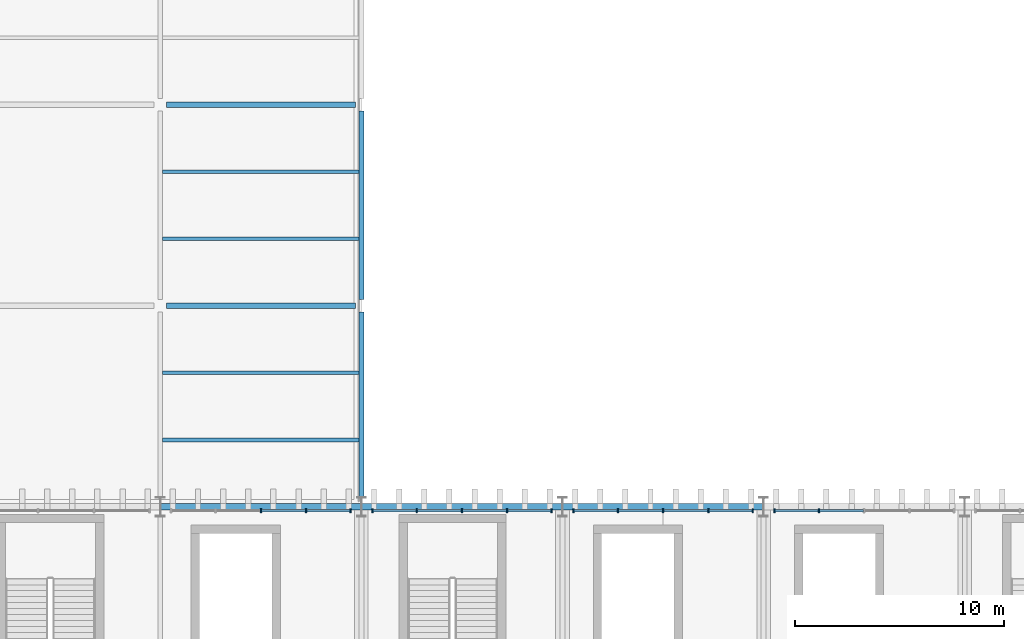
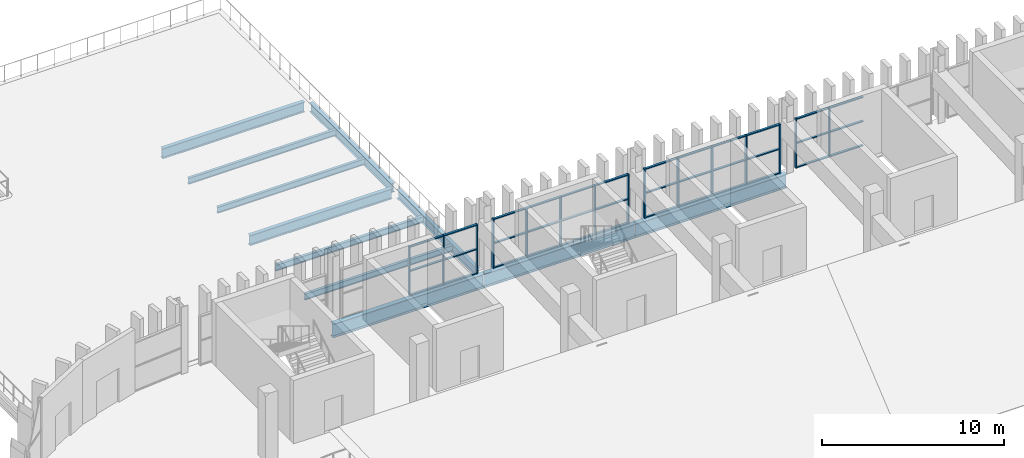
# One storey, part 28 of 69: 51 members, 11 beams, 4 elements without a shape of their own.
"""IFC4 building model written with IfcOpenShell, lengths in metres."""

from ifc_helpers import new_model, si_unit, direction, frame, origin, origin_2d, place, context, subcontext, project, spatial, rectangle, i_section, extrude, material, layer, layer_set, material_profile, profile_set, type_object, element, aggregate, save


model = new_model("IFC4")

# Units and contexts
model_context = context("Model", 3, precision=1e-05, world=origin(), true_north=direction((0.0, 1.0)))
body_context = subcontext(model_context, "Body", "Model", "MODEL_VIEW")
ifc_project = project(units=[si_unit("LENGTHUNIT", "METRE"), si_unit("AREAUNIT", "SQUARE_METRE"), si_unit("VOLUMEUNIT", "CUBIC_METRE"), si_unit("PLANEANGLEUNIT", "RADIAN"), si_unit("MASSUNIT", "GRAM", prefix="KILO")], contexts=[model_context])

# Site, building, storey
site_placement = place(None, origin())
site = spatial("IfcSite", under=ifc_project, at=site_placement, CompositionType="ELEMENT")
building_placement = place(site_placement, origin())
building = spatial("IfcBuilding", under=site, at=building_placement, Name="Caelomonte Colonnade Arena", CompositionType="ELEMENT")
storey_placement = place(building_placement, frame((0.0, 0.0, 18.60009765625)))
storey = spatial("IfcBuildingStorey", under=building, at=storey_placement, Name="L04", CompositionType="ELEMENT", Elevation=18.60009765625)

# Curtain wall, members
ifc_material_1 = material(Name="Bronze anodised aluminium and low-E glazing", Category="aluminium")
ifc_layer = layer(ifc_material_1, 0.179931640625)
ifc_layer_set = layer_set([ifc_layer], Name="Bronze anodised aluminium and low-E glazing")
curtain_wall_type = type_object("IfcCurtainWallType", Name="ENV-CW-CW-L04-96-33", PredefinedType="USERDEFINED", material=ifc_layer_set)
curtain_wall_1_placement = place(storey_placement, origin())
curtain_wall_1 = element("IfcCurtainWall", 1, at=curtain_wall_1_placement, inside=storey, type_object=curtain_wall_type, Name="L04 unitized curtain wall CW-L04-1200-1150", ObjectType="UNITIZED CURTAIN WALL", PredefinedType="USERDEFINED")
ifc_material_2 = material(Name="Bronze anodised aluminium AA6063-T6", Category="aluminium")
ifc_material_profile_1 = material_profile(ifc_material_2, rectangle(XDim=0.070068359375, YDim=0.179931640625, at=origin_2d()), Name="CWM-70X180")
ifc_profile_set_1 = profile_set([ifc_material_profile_1], Name="Bronze anodised aluminium AA6063-T6")
member_type_1 = type_object("IfcMemberType", Name="ENV-CW-MULL1", PredefinedType="MULLION", material=ifc_profile_set_1)
member_1_placement = place(storey_placement, frame((117.841796875, 115.02001953125, 0.0), z_axis=(0.0, 0.0, 1.0), x_axis=(-1.0, 0.0, 0.0)))
member_1 = element("IfcMember", 2, at=member_1_placement, type_object=member_type_1, Name="CW-L04-96-33 mullion 4", PredefinedType="MULLION", context=body_context, shape_type="SweptSolid", body=[
    extrude(rectangle(XDim=0.070068359375, YDim=0.179931640625, at=origin_2d()), origin(), (0.0, 0.0, 1.0), 3.312744140625),
])
member_2_placement = place(storey_placement, frame((115.718505859375, 115.02001953125, 0.0), z_axis=(0.0, 0.0, 1.0), x_axis=(-1.0, 0.0, 0.0)))
member_2 = element("IfcMember", 3, at=member_2_placement, type_object=member_type_1, Name="CW-L04-96-33 mullion 5", PredefinedType="MULLION", context=body_context, shape_type="SweptSolid", body=[
    extrude(rectangle(XDim=0.070068359375, YDim=0.179931640625, at=origin_2d()), origin(), (0.0, 0.0, 1.0), 3.312744140625),
])

curtain_wall_2_placement = place(storey_placement, origin())
curtain_wall_2 = element("IfcCurtainWall", 4, at=curtain_wall_2_placement, inside=storey, type_object=curtain_wall_type, Name="L04 unitized curtain wall CW-L04-1104-1150", ObjectType="UNITIZED CURTAIN WALL", PredefinedType="USERDEFINED")
member_3_placement = place(storey_placement, frame((114.681396484375, 115.02001953125, 0.0), z_axis=(0.0, 0.0, 1.0), x_axis=(-1.0, 0.0, 0.0)))
member_3 = element("IfcMember", 5, at=member_3_placement, type_object=member_type_1, Name="CW-L04-96-33 mullion 1", PredefinedType="MULLION", context=body_context, shape_type="SweptSolid", body=[
    extrude(rectangle(XDim=0.070068359375, YDim=0.179931640625, at=origin_2d()), origin(), (0.0, 0.0, 1.0), 3.312744140625),
])
member_4_placement = place(storey_placement, frame((112.558349609375, 115.02001953125, 0.0), z_axis=(0.0, 0.0, 1.0), x_axis=(-1.0, 0.0, 0.0)))
member_4 = element("IfcMember", 6, at=member_4_placement, type_object=member_type_1, Name="CW-L04-96-33 mullion 2", PredefinedType="MULLION", context=body_context, shape_type="SweptSolid", body=[
    extrude(rectangle(XDim=0.070068359375, YDim=0.179931640625, at=origin_2d()), origin(), (0.0, 0.0, 1.0), 3.312744140625),
])
member_5_placement = place(storey_placement, frame((110.39990234375, 115.02001953125, 0.0), z_axis=(0.0, 0.0, 1.0), x_axis=(-1.0, 0.0, 0.0)))
member_5 = element("IfcMember", 7, at=member_5_placement, type_object=member_type_1, Name="CW-L04-96-33 mullion 3", PredefinedType="MULLION", context=body_context, shape_type="SweptSolid", body=[
    extrude(rectangle(XDim=0.070068359375, YDim=0.179931640625, at=origin_2d()), origin(), (0.0, 0.0, 1.0), 3.312744140625),
])
member_6_placement = place(storey_placement, frame((108.24169921875, 115.02001953125, 0.0), z_axis=(0.0, 0.0, 1.0), x_axis=(-1.0, 0.0, 0.0)))
member_6 = element("IfcMember", 8, at=member_6_placement, type_object=member_type_1, Name="CW-L04-96-33 mullion 4", PredefinedType="MULLION", context=body_context, shape_type="SweptSolid", body=[
    extrude(rectangle(XDim=0.070068359375, YDim=0.179931640625, at=origin_2d()), origin(), (0.0, 0.0, 1.0), 3.312744140625),
])
member_7_placement = place(storey_placement, frame((106.118408203125, 115.02001953125, 0.0), z_axis=(0.0, 0.0, 1.0), x_axis=(-1.0, 0.0, 0.0)))
member_7 = element("IfcMember", 9, at=member_7_placement, type_object=member_type_1, Name="CW-L04-96-33 mullion 5", PredefinedType="MULLION", context=body_context, shape_type="SweptSolid", body=[
    extrude(rectangle(XDim=0.070068359375, YDim=0.179931640625, at=origin_2d()), origin(), (0.0, 0.0, 1.0), 3.312744140625),
])

curtain_wall_3_placement = place(storey_placement, origin())
curtain_wall_3 = element("IfcCurtainWall", 10, at=curtain_wall_3_placement, inside=storey, type_object=curtain_wall_type, Name="L04 unitized curtain wall CW-L04-1008-1150", ObjectType="UNITIZED CURTAIN WALL", PredefinedType="USERDEFINED")
member_8_placement = place(storey_placement, frame((105.08154296875, 115.02001953125, 0.0), z_axis=(0.0, 0.0, 1.0), x_axis=(-1.0, 0.0, 0.0)))
member_8 = element("IfcMember", 11, at=member_8_placement, type_object=member_type_1, Name="CW-L04-96-33 mullion 1", PredefinedType="MULLION", context=body_context, shape_type="SweptSolid", body=[
    extrude(rectangle(XDim=0.070068359375, YDim=0.179931640625, at=origin_2d()), origin(), (0.0, 0.0, 1.0), 3.312744140625),
])
member_9_placement = place(storey_placement, frame((102.958251953125, 115.02001953125, 0.0), z_axis=(0.0, 0.0, 1.0), x_axis=(-1.0, 0.0, 0.0)))
member_9 = element("IfcMember", 12, at=member_9_placement, type_object=member_type_1, Name="CW-L04-96-33 mullion 2", PredefinedType="MULLION", context=body_context, shape_type="SweptSolid", body=[
    extrude(rectangle(XDim=0.070068359375, YDim=0.179931640625, at=origin_2d()), origin(), (0.0, 0.0, 1.0), 3.312744140625),
])
member_10_placement = place(storey_placement, frame((100.800048828125, 115.02001953125, 0.0), z_axis=(0.0, 0.0, 1.0), x_axis=(-1.0, 0.0, 0.0)))
member_10 = element("IfcMember", 13, at=member_10_placement, type_object=member_type_1, Name="CW-L04-96-33 mullion 3", PredefinedType="MULLION", context=body_context, shape_type="SweptSolid", body=[
    extrude(rectangle(XDim=0.070068359375, YDim=0.179931640625, at=origin_2d()), origin(), (0.0, 0.0, 1.0), 3.312744140625),
])
member_11_placement = place(storey_placement, frame((98.641845703125, 115.02001953125, 0.0), z_axis=(0.0, 0.0, 1.0), x_axis=(-1.0, 0.0, 0.0)))
member_11 = element("IfcMember", 14, at=member_11_placement, type_object=member_type_1, Name="CW-L04-96-33 mullion 4", PredefinedType="MULLION", context=body_context, shape_type="SweptSolid", body=[
    extrude(rectangle(XDim=0.070068359375, YDim=0.179931640625, at=origin_2d()), origin(), (0.0, 0.0, 1.0), 3.312744140625),
])
member_12_placement = place(storey_placement, frame((96.5185546875, 115.02001953125, 0.0), z_axis=(0.0, 0.0, 1.0), x_axis=(-1.0, 0.0, 0.0)))
member_12 = element("IfcMember", 15, at=member_12_placement, type_object=member_type_1, Name="CW-L04-96-33 mullion 5", PredefinedType="MULLION", context=body_context, shape_type="SweptSolid", body=[
    extrude(rectangle(XDim=0.070068359375, YDim=0.179931640625, at=origin_2d()), origin(), (0.0, 0.0, 1.0), 3.312744140625),
])

curtain_wall_4_placement = place(storey_placement, origin())
curtain_wall_4 = element("IfcCurtainWall", 16, at=curtain_wall_4_placement, inside=storey, type_object=curtain_wall_type, Name="L04 unitized curtain wall CW-L04-0912-1150", ObjectType="UNITIZED CURTAIN WALL", PredefinedType="USERDEFINED")
member_13_placement = place(storey_placement, frame((95.4814453125, 115.02001953125, 0.0), z_axis=(0.0, 0.0, 1.0), x_axis=(-1.0, 0.0, 0.0)))
member_13 = element("IfcMember", 17, at=member_13_placement, type_object=member_type_1, Name="CW-L04-96-33 mullion 1", PredefinedType="MULLION", context=body_context, shape_type="SweptSolid", body=[
    extrude(rectangle(XDim=0.070068359375, YDim=0.179931640625, at=origin_2d()), origin(), (0.0, 0.0, 1.0), 3.312744140625),
])
member_14_placement = place(storey_placement, frame((93.358154296875, 115.02001953125, 0.0), z_axis=(0.0, 0.0, 1.0), x_axis=(-1.0, 0.0, 0.0)))
member_14 = element("IfcMember", 18, at=member_14_placement, type_object=member_type_1, Name="CW-L04-96-33 mullion 2", PredefinedType="MULLION", context=body_context, shape_type="SweptSolid", body=[
    extrude(rectangle(XDim=0.070068359375, YDim=0.179931640625, at=origin_2d()), origin(), (0.0, 0.0, 1.0), 3.312744140625),
])
member_15_placement = place(storey_placement, frame((91.199951171875, 115.02001953125, 0.0), z_axis=(0.0, 0.0, 1.0), x_axis=(-1.0, 0.0, 0.0)))
member_15 = element("IfcMember", 19, at=member_15_placement, type_object=member_type_1, Name="CW-L04-96-33 mullion 3", PredefinedType="MULLION", context=body_context, shape_type="SweptSolid", body=[
    extrude(rectangle(XDim=0.070068359375, YDim=0.179931640625, at=origin_2d()), origin(), (0.0, 0.0, 1.0), 3.312744140625),
])

# Member
ifc_material_profile_2 = material_profile(ifc_material_2, rectangle(XDim=0.070068359375, YDim=0.139892578125, at=origin_2d()), Name="CWT-70X140")
ifc_profile_set_2 = profile_set([ifc_material_profile_2], Name="Bronze anodised aluminium AA6063-T6")
member_type_2 = type_object("IfcMemberType", Name="ENV-CW-TRAN1", PredefinedType="USERDEFINED", material=ifc_profile_set_2)
member_16_placement = place(storey_placement, frame((119.965087890625, 115.02001953125, 0.034912109375), z_axis=(-1.0, 0.0, 0.0), x_axis=(0.0, 0.0, 1.0)))
member_16 = element("IfcMember", 20, at=member_16_placement, type_object=member_type_2, Name="CW-L04-96-33 transom 3.1", ObjectType="TRANSOM", PredefinedType="USERDEFINED", context=body_context, shape_type="SweptSolid", body=[
    extrude(rectangle(XDim=0.070068359375, YDim=0.139892578125, at=origin_2d()), origin(), (0.0, 0.0, 1.0), 2.08837890625),
])

member_17_placement = place(storey_placement, frame((119.965087890625, 115.02001953125, 1.65625), z_axis=(-1.0, 0.0, 0.0), x_axis=(0.0, 0.0, 1.0)))
member_17 = element("IfcMember", 21, at=member_17_placement, type_object=member_type_2, Name="CW-L04-96-33 transom 3.2", ObjectType="TRANSOM", PredefinedType="USERDEFINED", context=body_context, shape_type="SweptSolid", body=[
    extrude(rectangle(XDim=0.070068359375, YDim=0.139892578125, at=origin_2d()), origin(), (0.0, 0.0, 1.0), 2.08837890625),
])

member_18_placement = place(storey_placement, frame((119.965087890625, 115.02001953125, 3.277587890625), z_axis=(-1.0, 0.0, 0.0), x_axis=(0.0, 0.0, 1.0)))
member_18 = element("IfcMember", 22, at=member_18_placement, type_object=member_type_2, Name="CW-L04-96-33 transom 3.3", ObjectType="TRANSOM", PredefinedType="USERDEFINED", context=body_context, shape_type="SweptSolid", body=[
    extrude(rectangle(XDim=0.070068359375, YDim=0.139892578125, at=origin_2d()), origin(), (0.0, 0.0, 1.0), 2.08837890625),
])

member_19_placement = place(storey_placement, frame((117.806640625, 115.02001953125, 0.034912109375), z_axis=(-1.0, 0.0, 0.0), x_axis=(0.0, 0.0, 1.0)))
member_19 = element("IfcMember", 23, at=member_19_placement, type_object=member_type_2, Name="CW-L04-96-33 transom 4.1", ObjectType="TRANSOM", PredefinedType="USERDEFINED", context=body_context, shape_type="SweptSolid", body=[
    extrude(rectangle(XDim=0.070068359375, YDim=0.139892578125, at=origin_2d()), origin(), (0.0, 0.0, 1.0), 2.05322265625),
])

member_20_placement = place(storey_placement, frame((117.806640625, 115.02001953125, 1.65625), z_axis=(-1.0, 0.0, 0.0), x_axis=(0.0, 0.0, 1.0)))
member_20 = element("IfcMember", 24, at=member_20_placement, type_object=member_type_2, Name="CW-L04-96-33 transom 4.2", ObjectType="TRANSOM", PredefinedType="USERDEFINED", context=body_context, shape_type="SweptSolid", body=[
    extrude(rectangle(XDim=0.070068359375, YDim=0.139892578125, at=origin_2d()), origin(), (0.0, 0.0, 1.0), 2.05322265625),
])

member_21_placement = place(storey_placement, frame((117.806640625, 115.02001953125, 3.277587890625), z_axis=(-1.0, 0.0, 0.0), x_axis=(0.0, 0.0, 1.0)))
member_21 = element("IfcMember", 25, at=member_21_placement, type_object=member_type_2, Name="CW-L04-96-33 transom 4.3", ObjectType="TRANSOM", PredefinedType="USERDEFINED", context=body_context, shape_type="SweptSolid", body=[
    extrude(rectangle(XDim=0.070068359375, YDim=0.139892578125, at=origin_2d()), origin(), (0.0, 0.0, 1.0), 2.05322265625),
])

aggregate(curtain_wall_1, [member_1, member_2, member_16, member_17, member_18, member_19, member_20, member_21])

member_22_placement = place(storey_placement, frame((114.646484375, 115.02001953125, 0.034912109375), z_axis=(-1.0, 0.0, 0.0), x_axis=(0.0, 0.0, 1.0)))
member_22 = element("IfcMember", 26, at=member_22_placement, type_object=member_type_2, Name="CW-L04-96-33 transom 1.1", ObjectType="TRANSOM", PredefinedType="USERDEFINED", context=body_context, shape_type="SweptSolid", body=[
    extrude(rectangle(XDim=0.070068359375, YDim=0.139892578125, at=origin_2d()), origin(), (0.0, 0.0, 1.0), 2.05322265625),
])

member_23_placement = place(storey_placement, frame((114.646484375, 115.02001953125, 1.65625), z_axis=(-1.0, 0.0, 0.0), x_axis=(0.0, 0.0, 1.0)))
member_23 = element("IfcMember", 27, at=member_23_placement, type_object=member_type_2, Name="CW-L04-96-33 transom 1.2", ObjectType="TRANSOM", PredefinedType="USERDEFINED", context=body_context, shape_type="SweptSolid", body=[
    extrude(rectangle(XDim=0.070068359375, YDim=0.139892578125, at=origin_2d()), origin(), (0.0, 0.0, 1.0), 2.05322265625),
])

member_24_placement = place(storey_placement, frame((114.646484375, 115.02001953125, 3.277587890625), z_axis=(-1.0, 0.0, 0.0), x_axis=(0.0, 0.0, 1.0)))
member_24 = element("IfcMember", 28, at=member_24_placement, type_object=member_type_2, Name="CW-L04-96-33 transom 1.3", ObjectType="TRANSOM", PredefinedType="USERDEFINED", context=body_context, shape_type="SweptSolid", body=[
    extrude(rectangle(XDim=0.070068359375, YDim=0.139892578125, at=origin_2d()), origin(), (0.0, 0.0, 1.0), 2.05322265625),
])

member_25_placement = place(storey_placement, frame((112.523193359375, 115.02001953125, 0.034912109375), z_axis=(-1.0, 0.0, 0.0), x_axis=(0.0, 0.0, 1.0)))
member_25 = element("IfcMember", 29, at=member_25_placement, type_object=member_type_2, Name="CW-L04-96-33 transom 2.1", ObjectType="TRANSOM", PredefinedType="USERDEFINED", context=body_context, shape_type="SweptSolid", body=[
    extrude(rectangle(XDim=0.070068359375, YDim=0.139892578125, at=origin_2d()), origin(), (0.0, 0.0, 1.0), 2.088134765625),
])

member_26_placement = place(storey_placement, frame((112.523193359375, 115.02001953125, 1.65625), z_axis=(-1.0, 0.0, 0.0), x_axis=(0.0, 0.0, 1.0)))
member_26 = element("IfcMember", 30, at=member_26_placement, type_object=member_type_2, Name="CW-L04-96-33 transom 2.2", ObjectType="TRANSOM", PredefinedType="USERDEFINED", context=body_context, shape_type="SweptSolid", body=[
    extrude(rectangle(XDim=0.070068359375, YDim=0.139892578125, at=origin_2d()), origin(), (0.0, 0.0, 1.0), 2.088134765625),
])

member_27_placement = place(storey_placement, frame((112.523193359375, 115.02001953125, 3.277587890625), z_axis=(-1.0, 0.0, 0.0), x_axis=(0.0, 0.0, 1.0)))
member_27 = element("IfcMember", 31, at=member_27_placement, type_object=member_type_2, Name="CW-L04-96-33 transom 2.3", ObjectType="TRANSOM", PredefinedType="USERDEFINED", context=body_context, shape_type="SweptSolid", body=[
    extrude(rectangle(XDim=0.070068359375, YDim=0.139892578125, at=origin_2d()), origin(), (0.0, 0.0, 1.0), 2.088134765625),
])

member_28_placement = place(storey_placement, frame((110.364990234375, 115.02001953125, 0.034912109375), z_axis=(-1.0, 0.0, 0.0), x_axis=(0.0, 0.0, 1.0)))
member_28 = element("IfcMember", 32, at=member_28_placement, type_object=member_type_2, Name="CW-L04-96-33 transom 3.1", ObjectType="TRANSOM", PredefinedType="USERDEFINED", context=body_context, shape_type="SweptSolid", body=[
    extrude(rectangle(XDim=0.070068359375, YDim=0.139892578125, at=origin_2d()), origin(), (0.0, 0.0, 1.0), 2.088134765625),
])

member_29_placement = place(storey_placement, frame((110.364990234375, 115.02001953125, 1.65625), z_axis=(-1.0, 0.0, 0.0), x_axis=(0.0, 0.0, 1.0)))
member_29 = element("IfcMember", 33, at=member_29_placement, type_object=member_type_2, Name="CW-L04-96-33 transom 3.2", ObjectType="TRANSOM", PredefinedType="USERDEFINED", context=body_context, shape_type="SweptSolid", body=[
    extrude(rectangle(XDim=0.070068359375, YDim=0.139892578125, at=origin_2d()), origin(), (0.0, 0.0, 1.0), 2.088134765625),
])

member_30_placement = place(storey_placement, frame((110.364990234375, 115.02001953125, 3.277587890625), z_axis=(-1.0, 0.0, 0.0), x_axis=(0.0, 0.0, 1.0)))
member_30 = element("IfcMember", 34, at=member_30_placement, type_object=member_type_2, Name="CW-L04-96-33 transom 3.3", ObjectType="TRANSOM", PredefinedType="USERDEFINED", context=body_context, shape_type="SweptSolid", body=[
    extrude(rectangle(XDim=0.070068359375, YDim=0.139892578125, at=origin_2d()), origin(), (0.0, 0.0, 1.0), 2.088134765625),
])

member_31_placement = place(storey_placement, frame((108.206787109375, 115.02001953125, 0.034912109375), z_axis=(-1.0, 0.0, 0.0), x_axis=(0.0, 0.0, 1.0)))
member_31 = element("IfcMember", 35, at=member_31_placement, type_object=member_type_2, Name="CW-L04-96-33 transom 4.1", ObjectType="TRANSOM", PredefinedType="USERDEFINED", context=body_context, shape_type="SweptSolid", body=[
    extrude(rectangle(XDim=0.070068359375, YDim=0.139892578125, at=origin_2d()), origin(), (0.0, 0.0, 1.0), 2.05322265625),
])

member_32_placement = place(storey_placement, frame((108.206787109375, 115.02001953125, 1.65625), z_axis=(-1.0, 0.0, 0.0), x_axis=(0.0, 0.0, 1.0)))
member_32 = element("IfcMember", 36, at=member_32_placement, type_object=member_type_2, Name="CW-L04-96-33 transom 4.2", ObjectType="TRANSOM", PredefinedType="USERDEFINED", context=body_context, shape_type="SweptSolid", body=[
    extrude(rectangle(XDim=0.070068359375, YDim=0.139892578125, at=origin_2d()), origin(), (0.0, 0.0, 1.0), 2.05322265625),
])

member_33_placement = place(storey_placement, frame((108.206787109375, 115.02001953125, 3.277587890625), z_axis=(-1.0, 0.0, 0.0), x_axis=(0.0, 0.0, 1.0)))
member_33 = element("IfcMember", 37, at=member_33_placement, type_object=member_type_2, Name="CW-L04-96-33 transom 4.3", ObjectType="TRANSOM", PredefinedType="USERDEFINED", context=body_context, shape_type="SweptSolid", body=[
    extrude(rectangle(XDim=0.070068359375, YDim=0.139892578125, at=origin_2d()), origin(), (0.0, 0.0, 1.0), 2.05322265625),
])

aggregate(curtain_wall_2, [member_3, member_4, member_5, member_6, member_7, member_22, member_23, member_24, member_25, member_26, member_27, member_28, member_29, member_30, member_31, member_32, member_33])

member_34_placement = place(storey_placement, frame((105.04638671875, 115.02001953125, 0.034912109375), z_axis=(-1.0, 0.0, 0.0), x_axis=(0.0, 0.0, 1.0)))
member_34 = element("IfcMember", 38, at=member_34_placement, type_object=member_type_2, Name="CW-L04-96-33 transom 1.1", ObjectType="TRANSOM", PredefinedType="USERDEFINED", context=body_context, shape_type="SweptSolid", body=[
    extrude(rectangle(XDim=0.070068359375, YDim=0.139892578125, at=origin_2d()), origin(), (0.0, 0.0, 1.0), 2.05322265625),
])

member_35_placement = place(storey_placement, frame((105.04638671875, 115.02001953125, 1.65625), z_axis=(-1.0, 0.0, 0.0), x_axis=(0.0, 0.0, 1.0)))
member_35 = element("IfcMember", 39, at=member_35_placement, type_object=member_type_2, Name="CW-L04-96-33 transom 1.2", ObjectType="TRANSOM", PredefinedType="USERDEFINED", context=body_context, shape_type="SweptSolid", body=[
    extrude(rectangle(XDim=0.070068359375, YDim=0.139892578125, at=origin_2d()), origin(), (0.0, 0.0, 1.0), 2.05322265625),
])

member_36_placement = place(storey_placement, frame((105.04638671875, 115.02001953125, 3.277587890625), z_axis=(-1.0, 0.0, 0.0), x_axis=(0.0, 0.0, 1.0)))
member_36 = element("IfcMember", 40, at=member_36_placement, type_object=member_type_2, Name="CW-L04-96-33 transom 1.3", ObjectType="TRANSOM", PredefinedType="USERDEFINED", context=body_context, shape_type="SweptSolid", body=[
    extrude(rectangle(XDim=0.070068359375, YDim=0.139892578125, at=origin_2d()), origin(), (0.0, 0.0, 1.0), 2.05322265625),
])

member_37_placement = place(storey_placement, frame((102.92333984375, 115.02001953125, 0.034912109375), z_axis=(-1.0, 0.0, 0.0), x_axis=(0.0, 0.0, 1.0)))
member_37 = element("IfcMember", 41, at=member_37_placement, type_object=member_type_2, Name="CW-L04-96-33 transom 2.1", ObjectType="TRANSOM", PredefinedType="USERDEFINED", context=body_context, shape_type="SweptSolid", body=[
    extrude(rectangle(XDim=0.070068359375, YDim=0.139892578125, at=origin_2d()), origin(), (0.0, 0.0, 1.0), 2.08837890625),
])

member_38_placement = place(storey_placement, frame((102.92333984375, 115.02001953125, 1.65625), z_axis=(-1.0, 0.0, 0.0), x_axis=(0.0, 0.0, 1.0)))
member_38 = element("IfcMember", 42, at=member_38_placement, type_object=member_type_2, Name="CW-L04-96-33 transom 2.2", ObjectType="TRANSOM", PredefinedType="USERDEFINED", context=body_context, shape_type="SweptSolid", body=[
    extrude(rectangle(XDim=0.070068359375, YDim=0.139892578125, at=origin_2d()), origin(), (0.0, 0.0, 1.0), 2.08837890625),
])

member_39_placement = place(storey_placement, frame((102.92333984375, 115.02001953125, 3.277587890625), z_axis=(-1.0, 0.0, 0.0), x_axis=(0.0, 0.0, 1.0)))
member_39 = element("IfcMember", 43, at=member_39_placement, type_object=member_type_2, Name="CW-L04-96-33 transom 2.3", ObjectType="TRANSOM", PredefinedType="USERDEFINED", context=body_context, shape_type="SweptSolid", body=[
    extrude(rectangle(XDim=0.070068359375, YDim=0.139892578125, at=origin_2d()), origin(), (0.0, 0.0, 1.0), 2.08837890625),
])

member_40_placement = place(storey_placement, frame((100.764892578125, 115.02001953125, 0.034912109375), z_axis=(-1.0, 0.0, 0.0), x_axis=(0.0, 0.0, 1.0)))
member_40 = element("IfcMember", 44, at=member_40_placement, type_object=member_type_2, Name="CW-L04-96-33 transom 3.1", ObjectType="TRANSOM", PredefinedType="USERDEFINED", context=body_context, shape_type="SweptSolid", body=[
    extrude(rectangle(XDim=0.070068359375, YDim=0.139892578125, at=origin_2d()), origin(), (0.0, 0.0, 1.0), 2.088134765625),
])

member_41_placement = place(storey_placement, frame((100.764892578125, 115.02001953125, 1.65625), z_axis=(-1.0, 0.0, 0.0), x_axis=(0.0, 0.0, 1.0)))
member_41 = element("IfcMember", 45, at=member_41_placement, type_object=member_type_2, Name="CW-L04-96-33 transom 3.2", ObjectType="TRANSOM", PredefinedType="USERDEFINED", context=body_context, shape_type="SweptSolid", body=[
    extrude(rectangle(XDim=0.070068359375, YDim=0.139892578125, at=origin_2d()), origin(), (0.0, 0.0, 1.0), 2.088134765625),
])

member_42_placement = place(storey_placement, frame((100.764892578125, 115.02001953125, 3.277587890625), z_axis=(-1.0, 0.0, 0.0), x_axis=(0.0, 0.0, 1.0)))
member_42 = element("IfcMember", 46, at=member_42_placement, type_object=member_type_2, Name="CW-L04-96-33 transom 3.3", ObjectType="TRANSOM", PredefinedType="USERDEFINED", context=body_context, shape_type="SweptSolid", body=[
    extrude(rectangle(XDim=0.070068359375, YDim=0.139892578125, at=origin_2d()), origin(), (0.0, 0.0, 1.0), 2.088134765625),
])

member_43_placement = place(storey_placement, frame((98.606689453125, 115.02001953125, 0.034912109375), z_axis=(-1.0, 0.0, 0.0), x_axis=(0.0, 0.0, 1.0)))
member_43 = element("IfcMember", 47, at=member_43_placement, type_object=member_type_2, Name="CW-L04-96-33 transom 4.1", ObjectType="TRANSOM", PredefinedType="USERDEFINED", context=body_context, shape_type="SweptSolid", body=[
    extrude(rectangle(XDim=0.070068359375, YDim=0.139892578125, at=origin_2d()), origin(), (0.0, 0.0, 1.0), 2.05322265625),
])

member_44_placement = place(storey_placement, frame((98.606689453125, 115.02001953125, 1.65625), z_axis=(-1.0, 0.0, 0.0), x_axis=(0.0, 0.0, 1.0)))
member_44 = element("IfcMember", 48, at=member_44_placement, type_object=member_type_2, Name="CW-L04-96-33 transom 4.2", ObjectType="TRANSOM", PredefinedType="USERDEFINED", context=body_context, shape_type="SweptSolid", body=[
    extrude(rectangle(XDim=0.070068359375, YDim=0.139892578125, at=origin_2d()), origin(), (0.0, 0.0, 1.0), 2.05322265625),
])

member_45_placement = place(storey_placement, frame((98.606689453125, 115.02001953125, 3.277587890625), z_axis=(-1.0, 0.0, 0.0), x_axis=(0.0, 0.0, 1.0)))
member_45 = element("IfcMember", 49, at=member_45_placement, type_object=member_type_2, Name="CW-L04-96-33 transom 4.3", ObjectType="TRANSOM", PredefinedType="USERDEFINED", context=body_context, shape_type="SweptSolid", body=[
    extrude(rectangle(XDim=0.070068359375, YDim=0.139892578125, at=origin_2d()), origin(), (0.0, 0.0, 1.0), 2.05322265625),
])

aggregate(curtain_wall_3, [member_8, member_9, member_10, member_11, member_12, member_34, member_35, member_36, member_37, member_38, member_39, member_40, member_41, member_42, member_43, member_44, member_45])

member_46_placement = place(storey_placement, frame((95.446533203125, 115.02001953125, 0.034912109375), z_axis=(-1.0, 0.0, 0.0), x_axis=(0.0, 0.0, 1.0)))
member_46 = element("IfcMember", 50, at=member_46_placement, type_object=member_type_2, Name="CW-L04-96-33 transom 1.1", ObjectType="TRANSOM", PredefinedType="USERDEFINED", context=body_context, shape_type="SweptSolid", body=[
    extrude(rectangle(XDim=0.070068359375, YDim=0.139892578125, at=origin_2d()), origin(), (0.0, 0.0, 1.0), 2.05322265625),
])

member_47_placement = place(storey_placement, frame((95.446533203125, 115.02001953125, 1.65625), z_axis=(-1.0, 0.0, 0.0), x_axis=(0.0, 0.0, 1.0)))
member_47 = element("IfcMember", 51, at=member_47_placement, type_object=member_type_2, Name="CW-L04-96-33 transom 1.2", ObjectType="TRANSOM", PredefinedType="USERDEFINED", context=body_context, shape_type="SweptSolid", body=[
    extrude(rectangle(XDim=0.070068359375, YDim=0.139892578125, at=origin_2d()), origin(), (0.0, 0.0, 1.0), 2.05322265625),
])

member_48_placement = place(storey_placement, frame((95.446533203125, 115.02001953125, 3.277587890625), z_axis=(-1.0, 0.0, 0.0), x_axis=(0.0, 0.0, 1.0)))
member_48 = element("IfcMember", 52, at=member_48_placement, type_object=member_type_2, Name="CW-L04-96-33 transom 1.3", ObjectType="TRANSOM", PredefinedType="USERDEFINED", context=body_context, shape_type="SweptSolid", body=[
    extrude(rectangle(XDim=0.070068359375, YDim=0.139892578125, at=origin_2d()), origin(), (0.0, 0.0, 1.0), 2.05322265625),
])

member_49_placement = place(storey_placement, frame((93.3232421875, 115.02001953125, 0.034912109375), z_axis=(-1.0, 0.0, 0.0), x_axis=(0.0, 0.0, 1.0)))
member_49 = element("IfcMember", 53, at=member_49_placement, type_object=member_type_2, Name="CW-L04-96-33 transom 2.1", ObjectType="TRANSOM", PredefinedType="USERDEFINED", context=body_context, shape_type="SweptSolid", body=[
    extrude(rectangle(XDim=0.070068359375, YDim=0.139892578125, at=origin_2d()), origin(), (0.0, 0.0, 1.0), 2.088134765625),
])

member_50_placement = place(storey_placement, frame((93.3232421875, 115.02001953125, 1.65625), z_axis=(-1.0, 0.0, 0.0), x_axis=(0.0, 0.0, 1.0)))
member_50 = element("IfcMember", 54, at=member_50_placement, type_object=member_type_2, Name="CW-L04-96-33 transom 2.2", ObjectType="TRANSOM", PredefinedType="USERDEFINED", context=body_context, shape_type="SweptSolid", body=[
    extrude(rectangle(XDim=0.070068359375, YDim=0.139892578125, at=origin_2d()), origin(), (0.0, 0.0, 1.0), 2.088134765625),
])

member_51_placement = place(storey_placement, frame((93.3232421875, 115.02001953125, 3.277587890625), z_axis=(-1.0, 0.0, 0.0), x_axis=(0.0, 0.0, 1.0)))
member_51 = element("IfcMember", 55, at=member_51_placement, type_object=member_type_2, Name="CW-L04-96-33 transom 2.3", ObjectType="TRANSOM", PredefinedType="USERDEFINED", context=body_context, shape_type="SweptSolid", body=[
    extrude(rectangle(XDim=0.070068359375, YDim=0.139892578125, at=origin_2d()), origin(), (0.0, 0.0, 1.0), 2.088134765625),
])

aggregate(curtain_wall_4, [member_13, member_14, member_15, member_46, member_47, member_48, member_49, member_50, member_51])

# Beams
ifc_material_3 = material(Name="Wide-flange steel ASTM A992 Grade 50", Category="steel")
ifc_material_profile_3 = material_profile(ifc_material_3, i_section(OverallWidth=0.307861328125, OverallDepth=0.927001953125, WebThickness=0.019287109375, FlangeThickness=0.031982421875, FilletRadius=0.020263671875, at=origin_2d()), Name="W36X194")
ifc_profile_set_3 = profile_set([ifc_material_profile_3], Name="Wide-flange steel ASTM A992 Grade 50")
beam_type_1 = type_object("IfcBeamType", Name="STR-BM-EAVES2", PredefinedType="SPANDREL", material=ifc_profile_set_3)
for number, where, z_axis, x_axis, name in (
    (56, (86.412109375, 115.199951171875, -0.7236328125), (1.0, 0.0, 0.0), (0.0, 1.0, 0.0), "L04 girder BMX-L04-0864-1152"),
    (57, (96.011962890625, 115.199951171875, -0.7236328125), (1.0, 0.0, 0.0), (0.0, 1.0, 0.0), "L04 girder BMX-L04-0960-1152"),
    (58, (105.612060546875, 115.199951171875, -0.7236328125), (1.0, 0.0, 0.0), (0.0, 1.0, 0.0), "L04 girder BMX-L04-1056-1152"),
):
    element("IfcBeam", number, at=place(storey_placement, frame(where, z_axis=z_axis, x_axis=x_axis)), inside=storey, type_object=beam_type_1, Name=name, PredefinedType="SPANDREL", context=body_context, shape_type="SweptSolid", body=[
        extrude(i_section(OverallWidth=0.307861328125, OverallDepth=0.927001953125, WebThickness=0.019287109375, FlangeThickness=0.031982421875, FilletRadius=0.020263671875, at=origin_2d()), origin(), (0.0, 0.0, 1.0), 9.575927734375),
    ])
ifc_material_profile_4 = material_profile(ifc_material_3, i_section(OverallWidth=0.227783203125, OverallDepth=0.60205078125, WebThickness=0.010498046875, FlangeThickness=0.014892578125, FilletRadius=0.0126953125, at=origin_2d()), Name="W24X68")
ifc_profile_set_4 = profile_set([ifc_material_profile_4], Name="Wide-flange steel ASTM A992 Grade 50")
beam_type_2 = type_object("IfcBeamType", Name="STR-BM-GIRD24B", PredefinedType="SPANDREL", material=ifc_profile_set_4)
beam_1_placement = place(storey_placement, frame((96.0, 115.665771484375, -0.56103515625), z_axis=(0.0, 1.0, 0.0), x_axis=(-1.0, 0.0, 0.0)))
element("IfcBeam", 59, at=beam_1_placement, inside=storey, type_object=beam_type_2, Name="L04 girder BMY-L04-0960-1152", PredefinedType="SPANDREL", context=body_context, shape_type="SweptSolid", body=[
    extrude(i_section(OverallWidth=0.227783203125, OverallDepth=0.60205078125, WebThickness=0.010498046875, FlangeThickness=0.014892578125, FilletRadius=0.0126953125, at=origin_2d()), origin(), (0.0, 0.0, 1.0), 8.84228515625),
])
beam_2_placement = place(storey_placement, frame((96.0, 125.092041015625, -0.56103515625), z_axis=(0.0, 1.0, 0.0), x_axis=(-1.0, 0.0, 0.0)))
element("IfcBeam", 60, at=beam_2_placement, inside=storey, type_object=beam_type_2, Name="L04 girder BMY-L04-0960-1248", PredefinedType="SPANDREL", context=body_context, shape_type="SweptSolid", body=[
    extrude(i_section(OverallWidth=0.227783203125, OverallDepth=0.60205078125, WebThickness=0.010498046875, FlangeThickness=0.014892578125, FilletRadius=0.0126953125, at=origin_2d()), origin(), (0.0, 0.0, 1.0), 9.015869140625),
])
ifc_material_profile_5 = material_profile(ifc_material_3, i_section(OverallWidth=0.253662109375, OverallDepth=0.683349609375, WebThickness=0.012451171875, FlangeThickness=0.018798828125, FilletRadius=0.01513671875, at=origin_2d()), Name="W27X94")
ifc_profile_set_5 = profile_set([ifc_material_profile_5], Name="Wide-flange steel ASTM A992 Grade 50")
beam_type_3 = type_object("IfcBeamType", Name="STR-BM-GIRD27", PredefinedType="BEAM", material=ifc_profile_set_5)
for number, where, z_axis, x_axis, name in (
    (61, (86.69189453125, 124.800048828125, -0.601806640625), (1.0, 0.0, 0.0), (0.0, 1.0, 0.0), "L04 girder BMX-L04-0864-1248"),
    (62, (86.69189453125, 134.39990234375, -0.601806640625), (1.0, 0.0, 0.0), (0.0, 1.0, 0.0), "L04 girder BMX-L04-0864-1344"),
):
    element("IfcBeam", number, at=place(storey_placement, frame(where, z_axis=z_axis, x_axis=x_axis)), inside=storey, type_object=beam_type_3, Name=name, PredefinedType="BEAM", context=body_context, shape_type="SweptSolid", body=[
        extrude(i_section(OverallWidth=0.253662109375, OverallDepth=0.683349609375, WebThickness=0.012451171875, FlangeThickness=0.018798828125, FilletRadius=0.01513671875, at=origin_2d()), origin(), (0.0, 0.0, 1.0), 9.01611328125),
    ])
ifc_material_profile_6 = material_profile(ifc_material_3, i_section(OverallWidth=0.177734375, OverallDepth=0.406494140625, WebThickness=0.0078125, FlangeThickness=0.0126953125, FilletRadius=0.01025390625, at=origin_2d()), Name="W16X40")
ifc_profile_set_6 = profile_set([ifc_material_profile_6], Name="Wide-flange steel ASTM A992 Grade 50")
beam_type_4 = type_object("IfcBeamType", Name="STR-BM-JOIST16", PredefinedType="JOIST", material=ifc_profile_set_6)
for number, where, z_axis, x_axis, name in (
    (63, (86.5087890625, 118.39990234375, -0.46337890625), (1.0, 0.0, 0.0), (0.0, 1.0, 0.0), "L04 secondary joist 1"),
    (64, (86.5087890625, 121.60009765625, -0.46337890625), (1.0, 0.0, 0.0), (0.0, 1.0, 0.0), "L04 secondary joist 2"),
    (65, (86.5087890625, 128.0, -0.46337890625), (1.0, 0.0, 0.0), (0.0, 1.0, 0.0), "L04 secondary joist 1"),
    (66, (86.5087890625, 131.199951171875, -0.46337890625), (1.0, 0.0, 0.0), (0.0, 1.0, 0.0), "L04 secondary joist 2"),
):
    element("IfcBeam", number, at=place(storey_placement, frame(where, z_axis=z_axis, x_axis=x_axis)), inside=storey, type_object=beam_type_4, Name=name, PredefinedType="JOIST", context=body_context, shape_type="SweptSolid", body=[
        extrude(i_section(OverallWidth=0.177734375, OverallDepth=0.406494140625, WebThickness=0.0078125, FlangeThickness=0.0126953125, FilletRadius=0.01025390625, at=origin_2d()), origin(), (0.0, 0.0, 1.0), 9.38232421875),
    ])

save(model, "model.ifc")
